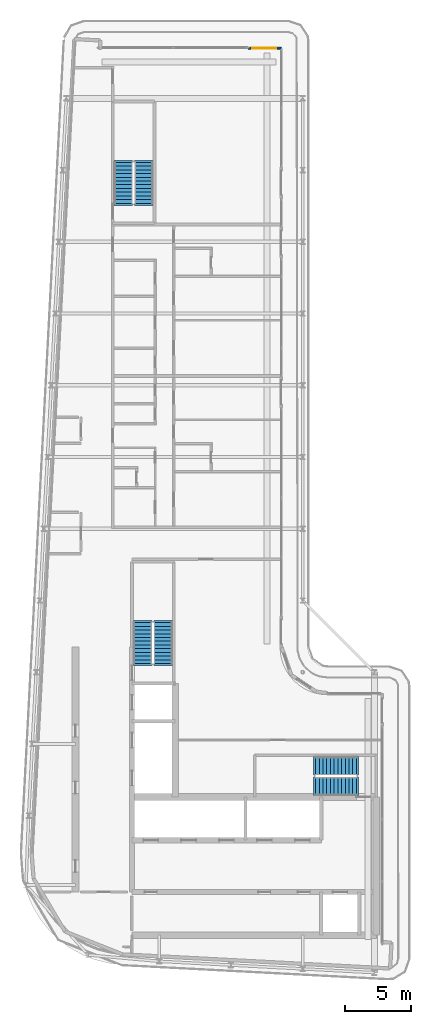
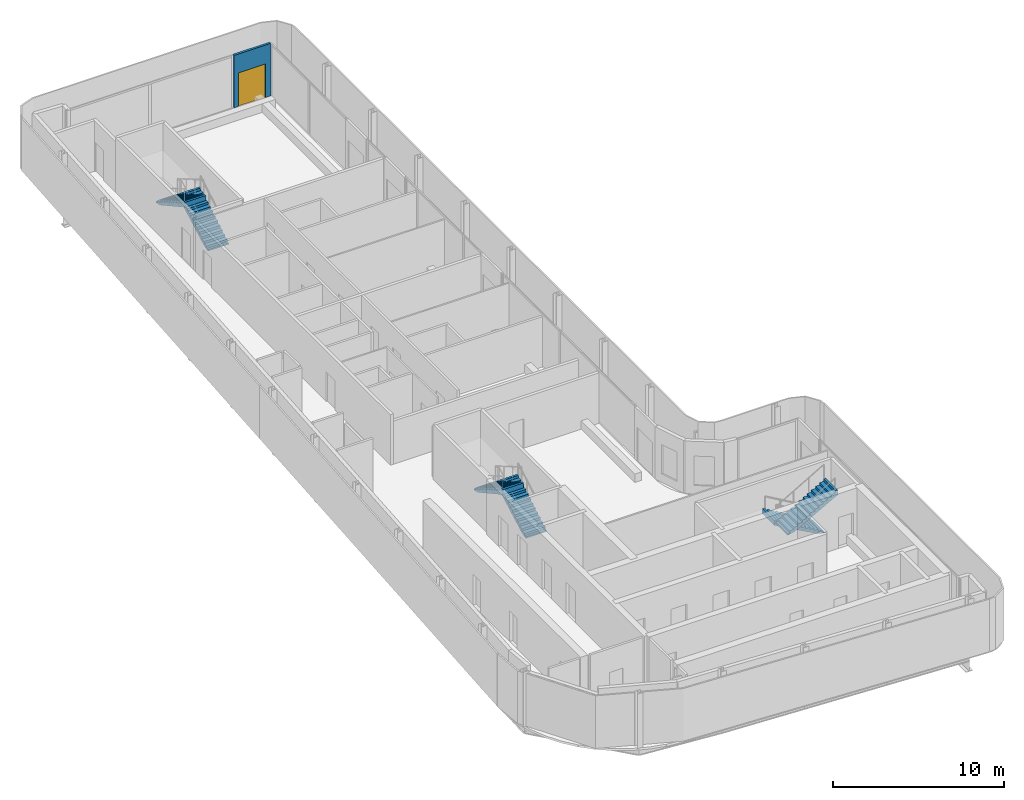
# One storey, part 12 of 19: 6 stair flights, 1 door, 1 wall, 1 opening, 3 elements without a shape of their own.
"""IFC4 building model written with IfcOpenShell, lengths in metres."""

from ifc_helpers import new_model, si_unit, direction, frame, frame_2d, origin, place, context, subcontext, project, spatial, polyline, rectangle, outline, extrude, source, transform, mapped, material, layer, layer_set, type_object, element, fill, aggregate, save


model = new_model("IFC4")

# Units and contexts
model_context = context("Model", 3, precision=1e-05, world=origin(), true_north=direction((0.0, 1.0)))
body_context = subcontext(model_context, "Body", "Model", "MODEL_VIEW")
ifc_project = project(units=[si_unit("LENGTHUNIT", "METRE"), si_unit("AREAUNIT", "SQUARE_METRE"), si_unit("VOLUMEUNIT", "CUBIC_METRE"), si_unit("PLANEANGLEUNIT", "RADIAN"), si_unit("MASSUNIT", "GRAM", prefix="KILO")], contexts=[model_context])

# Site, building, storey
site_placement = place(None, origin())
site = spatial("IfcSite", under=ifc_project, at=site_placement, CompositionType="ELEMENT")
building_placement = place(site_placement, origin())
building = spatial("IfcBuilding", under=site, at=building_placement, Name="Kheshtan School and Residences Tower", CompositionType="ELEMENT")
storey_placement = place(building_placement, frame((0.0, 0.0, 350.0)))
storey = spatial("IfcBuildingStorey", under=building, at=storey_placement, Name="L82", CompositionType="ELEMENT", Elevation=350.0)

# Wall, opening, door
ifc_material_1 = material(Name="Aluminium frame wall with insulated infill", Category="aluminium")
ifc_layer_1 = layer(ifc_material_1, 0.14990234375)
ifc_layer_set_1 = layer_set([ifc_layer_1], Name="Glazing frame wall 150")
wall_type = type_object("IfcWallType", Name="Glazing frame wall 150", PredefinedType="SOLIDWALL", material=ifc_layer_set_1)
wall_placement = place(storey_placement, frame((43.5, 92.574951171875, 0.0), z_axis=(0.0, 0.0, 1.0), x_axis=(1.0, 0.0, 0.0)))
wall = element("IfcWall", 1, at=wall_placement, inside=storey, type_object=wall_type, Name="Balcony door wall L82 3.1", PredefinedType="SOLIDWALL", context=body_context, shape_type="SweptSolid", body=[
    extrude(rectangle(XDim=2.470947265625, YDim=0.14990234375, at=frame_2d((1.2353515625, 0.0))), origin(), (0.0, 0.0, 1.0), 3.75),
])
opening_placement = place(wall_placement, frame((0.300048828125, 0.0, 0.0)))
opening = element("IfcOpeningElement", 2, at=opening_placement, cuts=wall, Name="Opening BD", PredefinedType="OPENING", context=body_context, shape_type="SweptSolid", body=[
    extrude(rectangle(XDim=1.800048828125, YDim=2.39990234375, at=frame_2d((0.89990234375, 1.199951171875))), frame((0.0, 0.0849609375, 0.0), z_axis=(0.0, -1.0, 0.0), x_axis=(1.0, 0.0, 0.0)), (0.0, 0.0, 1.0), 0.169921875),
])
ifc_material_2 = material(Name="Clear low-e glass in thermally broken aluminium frame", Category="aluminium")
door_type = type_object("IfcDoorType", Name="Balcony sliding door", OperationType="SLIDING_TO_LEFT", PredefinedType="DOOR", material=ifc_material_2)
shared_shape = source(origin(), body_context, "Body", "SweptSolid", [
    extrude(rectangle(XDim=1.800048828125, YDim=2.39990234375, at=frame_2d((0.89990234375, 1.199951171875))), frame((0.0, 0.02490234375, 0.0), z_axis=(0.0, -1.0, 0.0), x_axis=(1.0, 0.0, 0.0)), (0.0, 0.0, 1.0), 0.050048828125),
])
door_placement = place(opening_placement, origin())
door = element("IfcDoor", 3, at=door_placement, inside=storey, type_object=door_type, Name="Balcony door L82 3.1", OperationType="SLIDING_TO_LEFT", OverallHeight=2.39990234375, OverallWidth=1.800048828125, PredefinedType="DOOR", context=body_context, shape_type="MappedRepresentation", body=[
    mapped(shared_shape, transform((0.0, 0.0, 0.0), x_axis=(1.0, 0.0, 0.0), y_axis=(0.0, 1.0, 0.0), z_axis=(0.0, 0.0, 1.0), scale=1.0)),
])
fill(opening, door)

# Stair, stair flights
ifc_material_3 = material(Name="Concrete C40/50", Category="concrete")
stair_type = type_object("IfcStairType", Name="Exit stair, half-turn", PredefinedType="HALF_TURN_STAIR", material=ifc_material_3)
stair_1_placement = place(storey_placement, origin())
stair_1 = element("IfcStair", 4, at=stair_1_placement, inside=storey, type_object=stair_type, Name="L82 Protected Exit Stair ST1", PredefinedType="HALF_TURN_STAIR")
ifc_layer_2 = layer(ifc_material_3, 0.14990234375)
ifc_layer_set_2 = layer_set([ifc_layer_2], Name="Stair flight 1400 Concrete C40/50")
stair_flight_type = type_object("IfcStairFlightType", Name="Stair flight 1400 Concrete C40/50", PredefinedType="STRAIGHT", material=ifc_layer_set_2)
stair_flight_1_placement = place(storey_placement, frame((51.64990234375, 38.550048828125, 0.0), z_axis=(0.0, 0.0, 1.0), x_axis=(-1.0, 0.0, 0.0)))
stair_flight_1 = element("IfcStairFlight", 5, at=stair_flight_1_placement, type_object=stair_flight_type, Name="ST1 flight 1", NumberOfRisers=12, NumberOfTreads=11, PredefinedType="STRAIGHT", RiserHeight=0.1625, TreadLength=0.28, context=body_context, shape_type="SweptSolid", body=[
    extrude(outline(polyline([(-0.14990234375, -0.10009765625), (-0.14990234375, 0.0), (0.0, 0.0), (0.0, 0.16259765625), (0.280029296875, 0.16259765625), (0.280029296875, 0.324951171875), (0.56005859375, 0.324951171875), (0.56005859375, 0.487548828125), (0.840087890625, 0.487548828125), (0.840087890625, 0.64990234375), (1.1201171875, 0.64990234375), (1.1201171875, 0.8125), (1.39990234375, 0.8125), (1.39990234375, 0.97509765625), (1.679931640625, 0.97509765625), (1.679931640625, 1.137451171875), (1.9599609375, 1.137451171875), (1.9599609375, 1.300048828125), (2.239990234375, 1.300048828125), (2.239990234375, 1.46240234375), (2.52001953125, 1.46240234375), (2.52001953125, 1.625), (2.800048828125, 1.625), (2.800048828125, 1.78759765625), (3.080078125, 1.78759765625), (3.080078125, 1.949951171875), (3.080078125, 1.969970703125), (3.22998046875, 1.969970703125), (3.22998046875, 1.6142578125), (0.298583984375, 0.0), (-0.14990234375, -0.10009765625)])), frame((0.0, 0.699951171875, 0.0), z_axis=(0.0, -1.0, 0.0), x_axis=(1.0, 0.0, 0.0)), (0.0, 0.0, 1.0), 1.39990234375),
])
stair_flight_2_placement = place(storey_placement, frame((48.570068359375, 37.0, 1.949951171875), z_axis=(0.0, 0.0, 1.0), x_axis=(1.0, 0.0, 0.0)))
stair_flight_2 = element("IfcStairFlight", 6, at=stair_flight_2_placement, type_object=stair_flight_type, Name="ST1 flight 2", NumberOfRisers=12, NumberOfTreads=11, PredefinedType="STRAIGHT", RiserHeight=0.1625, TreadLength=0.28, context=body_context, shape_type="SweptSolid", body=[
    extrude(outline(polyline([(-0.14990234375, -0.10009765625), (-0.14990234375, 0.0), (0.0, 0.0), (0.0, 0.16259765625), (0.280029296875, 0.16259765625), (0.280029296875, 0.324951171875), (0.56005859375, 0.324951171875), (0.56005859375, 0.487548828125), (0.840087890625, 0.487548828125), (0.840087890625, 0.64990234375), (1.1201171875, 0.64990234375), (1.1201171875, 0.8125), (1.39990234375, 0.8125), (1.39990234375, 0.97509765625), (1.679931640625, 0.97509765625), (1.679931640625, 1.137451171875), (1.9599609375, 1.137451171875), (1.9599609375, 1.300048828125), (2.239990234375, 1.300048828125), (2.239990234375, 1.46240234375), (2.52001953125, 1.46240234375), (2.52001953125, 1.625), (2.800048828125, 1.625), (2.800048828125, 1.78759765625), (3.080078125, 1.78759765625), (3.080078125, 1.949951171875), (3.080078125, 1.969970703125), (3.22998046875, 1.969970703125), (3.22998046875, 1.6142578125), (0.298583984375, 0.0), (-0.14990234375, -0.10009765625)])), frame((0.0, 0.699951171875, 0.0), z_axis=(0.0, -1.0, 0.0), x_axis=(1.0, 0.0, 0.0)), (0.0, 0.0, 1.0), 1.39990234375),
])
aggregate(stair_1, [stair_flight_1, stair_flight_2])

stair_2_placement = place(storey_placement, origin())
stair_2 = element("IfcStair", 7, at=stair_2_placement, inside=storey, type_object=stair_type, Name="L82 Protected Exit Stair ST2", PredefinedType="HALF_TURN_STAIR")
stair_flight_3_placement = place(storey_placement, frame((37.10009765625, 46.25, 0.0), z_axis=(0.0, 0.0, 1.0), x_axis=(0.0, 1.0, 0.0)))
stair_flight_3 = element("IfcStairFlight", 8, at=stair_flight_3_placement, type_object=stair_flight_type, Name="ST2 flight 1", NumberOfRisers=12, NumberOfTreads=11, PredefinedType="STRAIGHT", RiserHeight=0.1625, TreadLength=0.28, context=body_context, shape_type="SweptSolid", body=[
    extrude(outline(polyline([(-0.14990234375, -0.10009765625), (-0.14990234375, 0.0), (0.0, 0.0), (0.0, 0.16259765625), (0.280029296875, 0.16259765625), (0.280029296875, 0.324951171875), (0.56005859375, 0.324951171875), (0.56005859375, 0.487548828125), (0.840087890625, 0.487548828125), (0.840087890625, 0.64990234375), (1.1201171875, 0.64990234375), (1.1201171875, 0.8125), (1.39990234375, 0.8125), (1.39990234375, 0.97509765625), (1.679931640625, 0.97509765625), (1.679931640625, 1.137451171875), (1.9599609375, 1.137451171875), (1.9599609375, 1.300048828125), (2.239990234375, 1.300048828125), (2.239990234375, 1.46240234375), (2.52001953125, 1.46240234375), (2.52001953125, 1.625), (2.800048828125, 1.625), (2.800048828125, 1.78759765625), (3.080078125, 1.78759765625), (3.080078125, 1.949951171875), (3.080078125, 1.969970703125), (3.22998046875, 1.969970703125), (3.22998046875, 1.6142578125), (0.298583984375, 0.0), (-0.14990234375, -0.10009765625)])), frame((0.0, 0.699951171875, 0.0), z_axis=(0.0, -1.0, 0.0), x_axis=(1.0, 0.0, 0.0)), (0.0, 0.0, 1.0), 1.39990234375),
])
stair_flight_4_placement = place(storey_placement, frame((35.550048828125, 49.330078125, 1.949951171875), z_axis=(0.0, 0.0, 1.0), x_axis=(0.0, -1.0, 0.0)))
stair_flight_4 = element("IfcStairFlight", 9, at=stair_flight_4_placement, type_object=stair_flight_type, Name="ST2 flight 2", NumberOfRisers=12, NumberOfTreads=11, PredefinedType="STRAIGHT", RiserHeight=0.1625, TreadLength=0.28, context=body_context, shape_type="SweptSolid", body=[
    extrude(outline(polyline([(-0.14990234375, -0.10009765625), (-0.14990234375, 0.0), (0.0, 0.0), (0.0, 0.16259765625), (0.280029296875, 0.16259765625), (0.280029296875, 0.324951171875), (0.56005859375, 0.324951171875), (0.56005859375, 0.487548828125), (0.840087890625, 0.487548828125), (0.840087890625, 0.64990234375), (1.1201171875, 0.64990234375), (1.1201171875, 0.8125), (1.39990234375, 0.8125), (1.39990234375, 0.97509765625), (1.679931640625, 0.97509765625), (1.679931640625, 1.137451171875), (1.9599609375, 1.137451171875), (1.9599609375, 1.300048828125), (2.239990234375, 1.300048828125), (2.239990234375, 1.46240234375), (2.52001953125, 1.46240234375), (2.52001953125, 1.625), (2.800048828125, 1.625), (2.800048828125, 1.78759765625), (3.080078125, 1.78759765625), (3.080078125, 1.949951171875), (3.080078125, 1.969970703125), (3.22998046875, 1.969970703125), (3.22998046875, 1.6142578125), (0.298583984375, 0.0), (-0.14990234375, -0.10009765625)])), frame((0.0, 0.699951171875, 0.0), z_axis=(0.0, -1.0, 0.0), x_axis=(1.0, 0.0, 0.0)), (0.0, 0.0, 1.0), 1.39990234375),
])
aggregate(stair_2, [stair_flight_3, stair_flight_4])

stair_3_placement = place(storey_placement, origin())
stair_3 = element("IfcStair", 10, at=stair_3_placement, inside=storey, type_object=stair_type, Name="L82 Protected Exit Stair ST3", PredefinedType="HALF_TURN_STAIR")
stair_flight_5_placement = place(storey_placement, frame((35.64990234375, 80.89990234375, 0.0), z_axis=(0.0, 0.0, 1.0), x_axis=(0.0, 1.0, 0.0)))
stair_flight_5 = element("IfcStairFlight", 11, at=stair_flight_5_placement, type_object=stair_flight_type, Name="ST3 flight 1", NumberOfRisers=12, NumberOfTreads=11, PredefinedType="STRAIGHT", RiserHeight=0.1625, TreadLength=0.28, context=body_context, shape_type="SweptSolid", body=[
    extrude(outline(polyline([(-0.14990234375, -0.10009765625), (-0.14990234375, 0.0), (0.0, 0.0), (0.0, 0.16259765625), (0.280029296875, 0.16259765625), (0.280029296875, 0.324951171875), (0.56005859375, 0.324951171875), (0.56005859375, 0.487548828125), (0.840087890625, 0.487548828125), (0.840087890625, 0.64990234375), (1.1201171875, 0.64990234375), (1.1201171875, 0.8125), (1.39990234375, 0.8125), (1.39990234375, 0.97509765625), (1.679931640625, 0.97509765625), (1.679931640625, 1.137451171875), (1.9599609375, 1.137451171875), (1.9599609375, 1.300048828125), (2.239990234375, 1.300048828125), (2.239990234375, 1.46240234375), (2.52001953125, 1.46240234375), (2.52001953125, 1.625), (2.800048828125, 1.625), (2.800048828125, 1.78759765625), (3.080078125, 1.78759765625), (3.080078125, 1.949951171875), (3.080078125, 1.969970703125), (3.22998046875, 1.969970703125), (3.22998046875, 1.6142578125), (0.298583984375, 0.0), (-0.14990234375, -0.10009765625)])), frame((0.0, 0.699951171875, 0.0), z_axis=(0.0, -1.0, 0.0), x_axis=(1.0, 0.0, 0.0)), (0.0, 0.0, 1.0), 1.39990234375),
])
stair_flight_6_placement = place(storey_placement, frame((34.10009765625, 83.97998046875, 1.949951171875), z_axis=(0.0, 0.0, 1.0), x_axis=(0.0, -1.0, 0.0)))
stair_flight_6 = element("IfcStairFlight", 12, at=stair_flight_6_placement, type_object=stair_flight_type, Name="ST3 flight 2", NumberOfRisers=12, NumberOfTreads=11, PredefinedType="STRAIGHT", RiserHeight=0.1625, TreadLength=0.28, context=body_context, shape_type="SweptSolid", body=[
    extrude(outline(polyline([(-0.14990234375, -0.10009765625), (-0.14990234375, 0.0), (0.0, 0.0), (0.0, 0.16259765625), (0.280029296875, 0.16259765625), (0.280029296875, 0.324951171875), (0.56005859375, 0.324951171875), (0.56005859375, 0.487548828125), (0.840087890625, 0.487548828125), (0.840087890625, 0.64990234375), (1.1201171875, 0.64990234375), (1.1201171875, 0.8125), (1.39990234375, 0.8125), (1.39990234375, 0.97509765625), (1.679931640625, 0.97509765625), (1.679931640625, 1.137451171875), (1.9599609375, 1.137451171875), (1.9599609375, 1.300048828125), (2.239990234375, 1.300048828125), (2.239990234375, 1.46240234375), (2.52001953125, 1.46240234375), (2.52001953125, 1.625), (2.800048828125, 1.625), (2.800048828125, 1.78759765625), (3.080078125, 1.78759765625), (3.080078125, 1.949951171875), (3.080078125, 1.969970703125), (3.22998046875, 1.969970703125), (3.22998046875, 1.6142578125), (0.298583984375, 0.0), (-0.14990234375, -0.10009765625)])), frame((0.0, 0.699951171875, 0.0), z_axis=(0.0, -1.0, 0.0), x_axis=(1.0, 0.0, 0.0)), (0.0, 0.0, 1.0), 1.39990234375),
])
aggregate(stair_3, [stair_flight_5, stair_flight_6])

save(model, "model.ifc")
